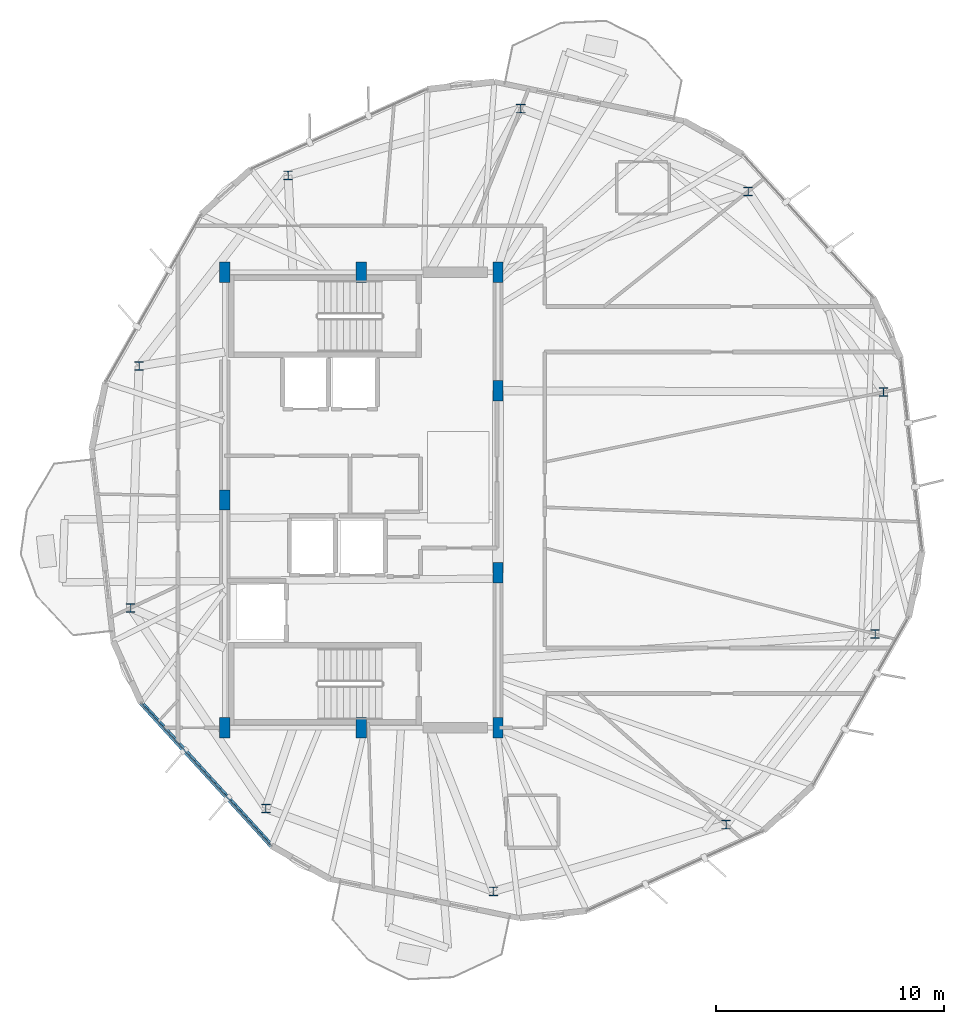
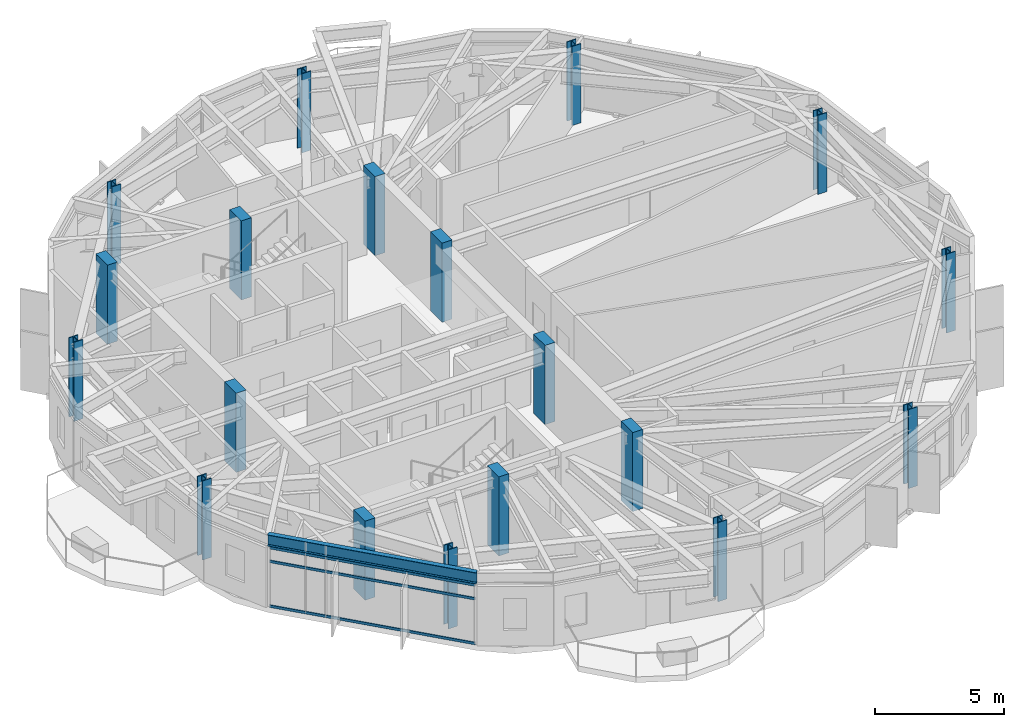
# One storey, part 1 of 23: 19 columns, 3 members, 1 beam, 1 element without a shape of its own.
"""IFC4 building model written with IfcOpenShell, lengths in metres."""

from ifc_helpers import new_model, si_unit, direction, frame, origin, origin_2d, place, context, subcontext, project, spatial, rectangle, hollow_rectangle, i_section, extrude, material, layer, layer_set, material_profile, profile_set, type_object, element, aggregate, save


model = new_model("IFC4")

# Units and contexts
model_context = context("Model", 3, precision=1e-05, world=origin(), true_north=direction((0.0, 1.0)))
body_context = subcontext(model_context, "Body", "Model", "MODEL_VIEW")
ifc_project = project(units=[si_unit("LENGTHUNIT", "METRE"), si_unit("AREAUNIT", "SQUARE_METRE"), si_unit("VOLUMEUNIT", "CUBIC_METRE"), si_unit("PLANEANGLEUNIT", "RADIAN"), si_unit("MASSUNIT", "GRAM", prefix="KILO")], contexts=[model_context])

# Site, building, storey
site_placement = place(None, origin())
site = spatial("IfcSite", under=ifc_project, at=site_placement, CompositionType="ELEMENT")
building_placement = place(site_placement, origin())
building = spatial("IfcBuilding", under=site, at=building_placement, Name="Soratama Intermodal Tower", CompositionType="ELEMENT")
storey_placement = place(building_placement, frame((0.0, 0.0, 257.5)))
storey = spatial("IfcBuildingStorey", under=building, at=storey_placement, Name="L65", CompositionType="ELEMENT", Elevation=257.5)

# Columns
ifc_material_1 = material(Name="Structural steel ASTM A992 Grade 50", Category="steel")
ifc_material_profile_1 = material_profile(ifc_material_1, i_section(OverallWidth=0.40087890625, OverallDepth=0.39892578125, WebThickness=0.02490234375, FlangeThickness=0.03955078125, FilletRadius=0.0380859375, at=origin_2d()), Name="W14X211")
ifc_profile_set_1 = profile_set([ifc_material_profile_1], Name="Structural steel ASTM A992 Grade 50")
column_type_1 = type_object("IfcColumnType", Name="COL-ZE-W14X211", PredefinedType="COLUMN", material=ifc_profile_set_1)
for number, where, z_axis, x_axis, name in (
    (1, (61.53369140625, 29.740966796875, 0.0), (0.0, 0.0, 1.0), (1.0, 0.0, 0.0), "L65 Tower Ring Column R01"),
    (2, (55.58935546875, 38.5537109375, 0.0), (0.0, 0.0, 1.0), (1.0, 0.0, 0.0), "L65 Tower Ring Column R02"),
    (3, (45.600341796875, 42.189453125, 0.0), (0.0, 0.0, 1.0), (1.0, 0.0, 0.0), "L65 Tower Ring Column R03"),
    (4, (35.3818359375, 39.259521484375, 0.0), (0.0, 0.0, 1.0), (1.0, 0.0, 0.0), "L65 Tower Ring Column R04"),
    (5, (28.83740234375, 30.8828125, 0.0), (0.0, 0.0, 1.0), (1.0, 0.0, 0.0), "L65 Tower Ring Column R05"),
    (6, (28.46630859375, 20.259033203125, 0.0), (0.0, 0.0, 1.0), (1.0, 0.0, 0.0), "L65 Tower Ring Column R06"),
    (7, (34.41064453125, 11.4462890625, 0.0), (0.0, 0.0, 1.0), (1.0, 0.0, 0.0), "L65 Tower Ring Column R07"),
    (8, (44.399658203125, 7.810546875, 0.0), (0.0, 0.0, 1.0), (1.0, 0.0, 0.0), "L65 Tower Ring Column R08"),
    (9, (54.6181640625, 10.740478515625, 0.0), (0.0, 0.0, 1.0), (1.0, 0.0, 0.0), "L65 Tower Ring Column R09"),
    (10, (61.16259765625, 19.1171875, 0.0), (0.0, 0.0, 1.0), (1.0, 0.0, 0.0), "L65 Tower Ring Column R10"),
):
    element("IfcColumn", number, at=place(storey_placement, frame(where, z_axis=z_axis, x_axis=x_axis)), inside=storey, type_object=column_type_1, Name=name, PredefinedType="COLUMN", context=body_context, shape_type="SweptSolid", body=[
        extrude(i_section(OverallWidth=0.40087890625, OverallDepth=0.39892578125, WebThickness=0.02490234375, FlangeThickness=0.03955078125, FilletRadius=0.0380859375, at=origin_2d()), origin(), (0.0, 0.0, 1.0), 3.75),
    ])
ifc_material_2 = material(Name="Concrete f'c 56 MPa", Category="concrete")
ifc_material_profile_2 = material_profile(ifc_material_2, rectangle(XDim=0.449951171875, YDim=0.89990234375, at=origin_2d()), Name="RC450X900")
ifc_profile_set_2 = profile_set([ifc_material_profile_2], Name="Concrete f'c 56 MPa")
column_type_2 = type_object("IfcColumnType", Name="PIL-CORE-450X900", PredefinedType="PILASTER", material=ifc_profile_set_2)
for number, where, z_axis, x_axis, name in (
    (11, (32.60009765625, 15.0, 0.0), (0.0, 0.0, 1.0), (1.0, 0.0, 0.0), "L65 Core Pilaster 1"),
    (12, (32.60009765625, 25.0, 0.0), (0.0, 0.0, 1.0), (1.0, 0.0, 0.0), "L65 Core Pilaster 2"),
    (13, (32.60009765625, 35.0, 0.0), (0.0, 0.0, 1.0), (1.0, 0.0, 0.0), "L65 Core Pilaster 3"),
    (14, (38.60009765625, 15.0, 0.0), (0.0, 0.0, 1.0), (1.0, 0.0, 0.0), "L65 Core Pilaster 4"),
    (15, (38.60009765625, 35.0, 0.0), (0.0, 0.0, 1.0), (1.0, 0.0, 0.0), "L65 Core Pilaster 5"),
    (16, (44.60009765625, 15.0, 0.0), (0.0, 0.0, 1.0), (1.0, 0.0, 0.0), "L65 Core Pilaster 6"),
    (17, (44.60009765625, 21.800048828125, 0.0), (0.0, 0.0, 1.0), (1.0, 0.0, 0.0), "L65 Core Pilaster 7"),
    (18, (44.60009765625, 29.800048828125, 0.0), (0.0, 0.0, 1.0), (1.0, 0.0, 0.0), "L65 Core Pilaster 8"),
    (19, (44.60009765625, 35.0, 0.0), (0.0, 0.0, 1.0), (1.0, 0.0, 0.0), "L65 Core Pilaster 9"),
):
    element("IfcColumn", number, at=place(storey_placement, frame(where, z_axis=z_axis, x_axis=x_axis)), inside=storey, type_object=column_type_2, Name=name, PredefinedType="PILASTER", context=body_context, shape_type="SweptSolid", body=[
        extrude(rectangle(XDim=0.449951171875, YDim=0.89990234375, at=origin_2d()), origin(), (0.0, 0.0, 1.0), 3.75),
    ])

# Beam
ifc_material_3 = material(Name="Structural steel ASTM A992 Grade 50", Category="steel")
ifc_material_profile_3 = material_profile(ifc_material_3, i_section(OverallWidth=0.2099609375, OverallDepth=0.537109375, WebThickness=0.010986328125, FlangeThickness=0.017333984375, FilletRadius=0.012939453125, at=origin_2d()), Name="W21X68")
ifc_profile_set_3 = profile_set([ifc_material_profile_3], Name="Structural steel ASTM A992 Grade 50")
beam_type = type_object("IfcBeamType", Name="BM-SPN-W21X68", PredefinedType="SPANDREL", material=ifc_profile_set_3)
beam_placement = place(storey_placement, frame((28.925048828125, 16.093017578125, 3.181396484375), z_axis=(0.67377000285, -0.738941122999, 0.0), x_axis=(0.738941122999, 0.67377000285, 0.0)))
element("IfcBeam", 20, at=beam_placement, inside=storey, type_object=beam_type, Name="BS-L65-F05", PredefinedType="SPANDREL", context=body_context, shape_type="SweptSolid", body=[
    extrude(i_section(OverallWidth=0.2099609375, OverallDepth=0.537109375, WebThickness=0.010986328125, FlangeThickness=0.017333984375, FilletRadius=0.012939453125, at=origin_2d()), origin(), (0.0, 0.0, 1.0), 8.5),
])

# Curtain wall, members
ifc_material_4 = material(Name="Double-glazed aluminium curtain wall", Category="aluminium")
ifc_layer = layer(ifc_material_4, 0.159912109375)
ifc_layer_set = layer_set([ifc_layer], Name="Double-glazed aluminium curtain wall")
curtain_wall_type = type_object("IfcCurtainWallType", Name="CW-SYS-5", PredefinedType="NOTDEFINED", material=ifc_layer_set)
curtain_wall_placement = place(storey_placement, origin())
curtain_wall = element("IfcCurtainWall", 21, at=curtain_wall_placement, inside=storey, type_object=curtain_wall_type, Name="L65 Faceted Curtain Wall F05", PredefinedType="NOTDEFINED")
ifc_material_5 = material(Name="Anodised aluminium AA 6063-T6", Category="aluminium")
ifc_material_profile_4 = material_profile(ifc_material_5, hollow_rectangle(XDim=0.06005859375, YDim=0.1298828125, WallThickness=0.0048828125, InnerFilletRadius=0.0048828125, OuterFilletRadius=0.010009765625, at=origin_2d()), Name="CWT130X60X5")
ifc_profile_set_4 = profile_set([ifc_material_profile_4], Name="Anodised aluminium AA 6063-T6")
member_type = type_object("IfcMemberType", Name="TT-CWT-2", PredefinedType="USERDEFINED", material=ifc_profile_set_4)
member_1_placement = place(storey_placement, frame((28.965087890625, 16.048828125, 0.030029296875), z_axis=(0.67376836296, -0.738942618255, 0.0), x_axis=(0.738942618255, 0.67376836296, 0.0)))
member_1 = element("IfcMember", 22, at=member_1_placement, type_object=member_type, Name="CW-5 transom 1.1", ObjectType="TRANSOM", PredefinedType="USERDEFINED", context=body_context, shape_type="SweptSolid", body=[
    extrude(hollow_rectangle(XDim=0.06005859375, YDim=0.1298828125, WallThickness=0.0048828125, InnerFilletRadius=0.0048828125, OuterFilletRadius=0.010009765625, at=origin_2d()), origin(), (0.0, 0.0, 1.0), 8.379638671875),
])
member_2_placement = place(storey_placement, frame((28.965087890625, 16.048828125, 2.14990234375), z_axis=(0.67376836296, -0.738942618255, 0.0), x_axis=(0.738942618255, 0.67376836296, 0.0)))
member_2 = element("IfcMember", 23, at=member_2_placement, type_object=member_type, Name="CW-5 transom 1.2", ObjectType="TRANSOM", PredefinedType="USERDEFINED", context=body_context, shape_type="SweptSolid", body=[
    extrude(hollow_rectangle(XDim=0.06005859375, YDim=0.1298828125, WallThickness=0.0048828125, InnerFilletRadius=0.0048828125, OuterFilletRadius=0.010009765625, at=origin_2d()), origin(), (0.0, 0.0, 1.0), 8.379638671875),
])
member_3_placement = place(storey_placement, frame((28.965087890625, 16.048828125, 2.799072265625), z_axis=(0.67376836296, -0.738942618255, 0.0), x_axis=(0.738942618255, 0.67376836296, 0.0)))
member_3 = element("IfcMember", 24, at=member_3_placement, type_object=member_type, Name="CW-5 transom 1.3", ObjectType="TRANSOM", PredefinedType="USERDEFINED", context=body_context, shape_type="SweptSolid", body=[
    extrude(hollow_rectangle(XDim=0.06005859375, YDim=0.1298828125, WallThickness=0.0048828125, InnerFilletRadius=0.0048828125, OuterFilletRadius=0.010009765625, at=origin_2d()), origin(), (0.0, 0.0, 1.0), 8.379638671875),
])
aggregate(curtain_wall, [member_1, member_2, member_3])

save(model, "model.ifc")
